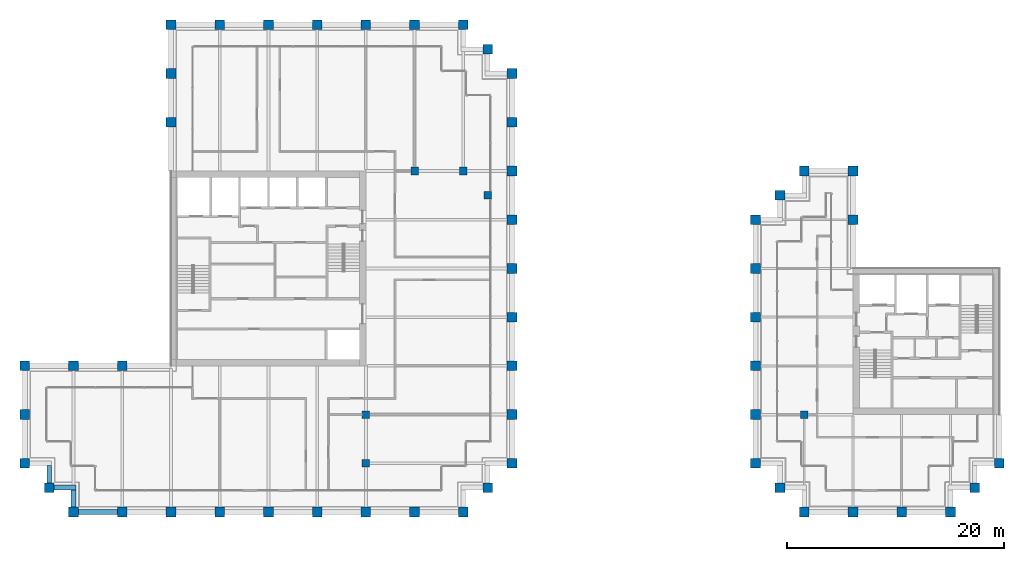
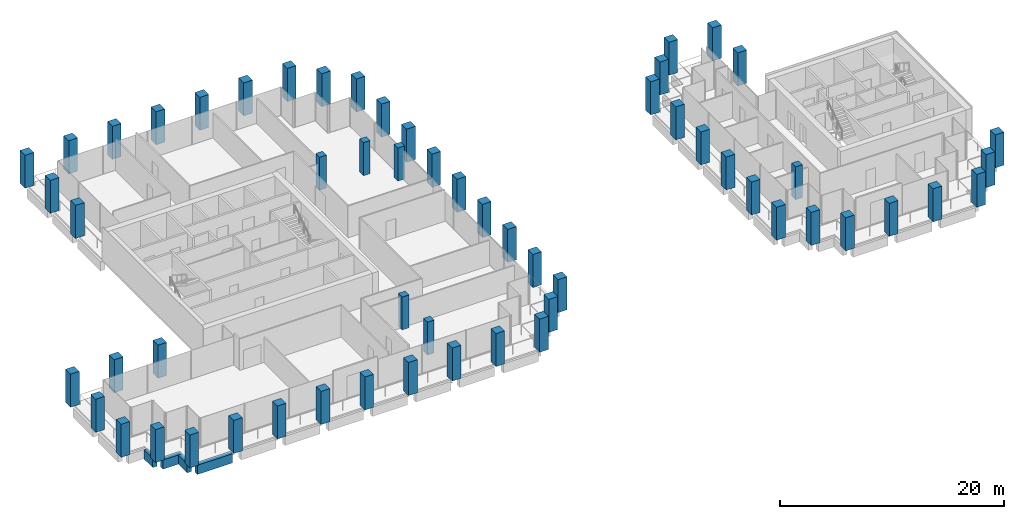
# One storey, part 1 of 40: 58 columns, 4 beams.
"""IFC4 building model written with IfcOpenShell, lengths in metres."""

from ifc_helpers import new_model, si_unit, direction, frame, origin, origin_2d, place, context, subcontext, project, spatial, rectangle, extrude, material, material_profile, profile_set, type_object, element, save


model = new_model("IFC4")

# Units and contexts
model_context = context("Model", 3, precision=1e-05, world=origin(), true_north=direction((0.0, 1.0)))
body_context = subcontext(model_context, "Body", "Model", "MODEL_VIEW")
ifc_project = project(units=[si_unit("LENGTHUNIT", "METRE"), si_unit("AREAUNIT", "SQUARE_METRE"), si_unit("VOLUMEUNIT", "CUBIC_METRE"), si_unit("PLANEANGLEUNIT", "RADIAN"), si_unit("MASSUNIT", "GRAM", prefix="KILO")], contexts=[model_context])

# Site, building, storey
site_placement = place(None, origin())
site = spatial("IfcSite", under=ifc_project, at=site_placement, CompositionType="ELEMENT")
building_placement = place(site_placement, origin())
building = spatial("IfcBuilding", under=site, at=building_placement, Name="Altepetl Exchange Towers", CompositionType="ELEMENT")
storey_placement = place(building_placement, frame((0.0, 0.0, 183.39990234375)))
storey = spatial("IfcBuildingStorey", under=building, at=storey_placement, Name="L46", CompositionType="ELEMENT", Elevation=183.39990234375)

# Columns
ifc_material_1 = material(Name="Concrete C70/85", Category="concrete")
ifc_material_profile_1 = material_profile(ifc_material_1, rectangle(XDim=0.699951171875, YDim=0.699951171875, at=origin_2d()), Name="700 x 700")
ifc_profile_set_1 = profile_set([ifc_material_profile_1], Name="Concrete C70/85")
column_type_1 = type_object("IfcColumnType", Name="Interior column 700", PredefinedType="COLUMN", material=ifc_profile_set_1)
for number, where, name in (
    (1, (58.5, 31.5, 0.0), "col:A:L46:035"),
    (2, (58.5, 36.0, 0.0), "col:A:L46:036"),
    (3, (63.0, 58.5, 0.0), "col:A:L46:037"),
    (4, (67.5, 58.5, 0.0), "col:A:L46:038"),
    (5, (69.75, 56.25, 0.0), "col:A:L46:039"),
    (6, (99.0, 36.0, 0.0), "col:B:L46:017"),
):
    element("IfcColumn", number, at=place(storey_placement, frame(where)), inside=storey, type_object=column_type_1, Name=name, PredefinedType="COLUMN", context=body_context, shape_type="SweptSolid", body=[
        extrude(rectangle(XDim=0.699951171875, YDim=0.699951171875, at=origin_2d()), origin(), (0.0, 0.0, 1.0), 3.60009765625),
    ])
ifc_material_2 = material(Name="Concrete C70/85 precast with cantera amarilla facing", Category="concrete")
ifc_material_profile_2 = material_profile(ifc_material_2, rectangle(XDim=0.89990234375, YDim=0.89990234375, at=origin_2d()), Name="900 x 900")
ifc_profile_set_2 = profile_set([ifc_material_profile_2], Name="Concrete C70/85 precast with cantera amarilla facing")
column_type_2 = type_object("IfcColumnType", Name="Perimeter column 900 cantera amarilla", PredefinedType="COLUMN", material=ifc_profile_set_2)
for number, where, name in (
    (7, (58.5, 27.0, 0.0), "col:A:L46:006"),
    (8, (63.0, 27.0, 0.0), "col:A:L46:007"),
    (9, (67.5, 27.0, 0.0), "col:A:L46:008"),
    (10, (69.75, 29.25, 0.0), "col:A:L46:009"),
    (11, (72.0, 31.5, 0.0), "col:A:L46:010"),
    (12, (72.0, 36.0, 0.0), "col:A:L46:011"),
    (13, (72.0, 40.5, 0.0), "col:A:L46:012"),
    (14, (72.0, 45.0, 0.0), "col:A:L46:013"),
    (15, (72.0, 49.5, 0.0), "col:A:L46:014"),
    (16, (72.0, 54.0, 0.0), "col:A:L46:015"),
):
    element("IfcColumn", number, at=place(storey_placement, frame(where)), inside=storey, type_object=column_type_2, Name=name, PredefinedType="COLUMN", context=body_context, shape_type="SweptSolid", body=[
        extrude(rectangle(XDim=0.89990234375, YDim=0.89990234375, at=origin_2d()), origin(), (0.0, 0.0, 1.0), 3.60009765625),
    ])
ifc_material_3 = material(Name="Concrete C70/85 precast with cantera blanca facing", Category="concrete")
ifc_material_profile_3 = material_profile(ifc_material_3, rectangle(XDim=0.89990234375, YDim=0.89990234375, at=origin_2d()), Name="900 x 900")
ifc_profile_set_3 = profile_set([ifc_material_profile_3], Name="Concrete C70/85 precast with cantera blanca facing")
column_type_3 = type_object("IfcColumnType", Name="Perimeter column 900 cantera blanca", PredefinedType="COLUMN", material=ifc_profile_set_3)
for number, where, name in (
    (17, (31.5, 27.0, 0.0), "col:A:L46:000"),
    (18, (36.0, 27.0, 0.0), "col:A:L46:001"),
    (19, (40.5, 27.0, 0.0), "col:A:L46:002"),
    (20, (45.0, 27.0, 0.0), "col:A:L46:003"),
    (21, (49.5, 27.0, 0.0), "col:A:L46:004"),
    (22, (54.0, 27.0, 0.0), "col:A:L46:005"),
    (23, (27.0, 36.0, 0.0), "col:A:L46:032"),
    (24, (27.0, 31.5, 0.0), "col:A:L46:033"),
    (25, (29.25, 29.25, 0.0), "col:A:L46:034"),
    (26, (117.0, 31.5, 0.0), "col:B:L46:005"),
):
    element("IfcColumn", number, at=place(storey_placement, frame(where)), inside=storey, type_object=column_type_3, Name=name, PredefinedType="COLUMN", context=body_context, shape_type="SweptSolid", body=[
        extrude(rectangle(XDim=0.89990234375, YDim=0.89990234375, at=origin_2d()), origin(), (0.0, 0.0, 1.0), 3.60009765625),
    ])
ifc_material_4 = material(Name="Concrete C70/85 precast with cantera rosa facing", Category="concrete")
ifc_material_profile_4 = material_profile(ifc_material_4, rectangle(XDim=0.89990234375, YDim=0.89990234375, at=origin_2d()), Name="900 x 900")
ifc_profile_set_4 = profile_set([ifc_material_profile_4], Name="Concrete C70/85 precast with cantera rosa facing")
column_type_4 = type_object("IfcColumnType", Name="Perimeter column 900 cantera rosa", PredefinedType="COLUMN", material=ifc_profile_set_4)
for number, where, name in (
    (27, (72.0, 58.5, 0.0), "col:A:L46:016"),
    (28, (72.0, 63.0, 0.0), "col:A:L46:017"),
    (29, (72.0, 67.5, 0.0), "col:A:L46:018"),
    (30, (69.75, 69.75, 0.0), "col:A:L46:019"),
    (31, (67.5, 72.0, 0.0), "col:A:L46:020"),
    (32, (63.0, 72.0, 0.0), "col:A:L46:021"),
    (33, (58.5, 72.0, 0.0), "col:A:L46:022"),
    (34, (54.0, 72.0, 0.0), "col:A:L46:023"),
    (35, (49.5, 72.0, 0.0), "col:A:L46:024"),
    (36, (45.0, 72.0, 0.0), "col:A:L46:025"),
    (37, (103.5, 54.0, 0.0), "col:B:L46:006"),
    (38, (103.5, 58.5, 0.0), "col:B:L46:007"),
    (39, (99.0, 58.5, 0.0), "col:B:L46:008"),
    (40, (96.75, 56.25, 0.0), "col:B:L46:009"),
    (41, (94.5, 54.0, 0.0), "col:B:L46:010"),
    (42, (94.5, 49.5, 0.0), "col:B:L46:011"),
    (43, (94.5, 45.0, 0.0), "col:B:L46:012"),
    (44, (94.5, 40.5, 0.0), "col:B:L46:013"),
    (45, (94.5, 36.0, 0.0), "col:B:L46:014"),
):
    element("IfcColumn", number, at=place(storey_placement, frame(where)), inside=storey, type_object=column_type_4, Name=name, PredefinedType="COLUMN", context=body_context, shape_type="SweptSolid", body=[
        extrude(rectangle(XDim=0.89990234375, YDim=0.89990234375, at=origin_2d()), origin(), (0.0, 0.0, 1.0), 3.60009765625),
    ])
ifc_material_5 = material(Name="Concrete C70/85 precast with tezontle facing", Category="concrete")
ifc_material_profile_5 = material_profile(ifc_material_5, rectangle(XDim=0.89990234375, YDim=0.89990234375, at=origin_2d()), Name="900 x 900")
ifc_profile_set_5 = profile_set([ifc_material_profile_5], Name="Concrete C70/85 precast with tezontle facing")
column_type_5 = type_object("IfcColumnType", Name="Perimeter column 900 tezontle", PredefinedType="COLUMN", material=ifc_profile_set_5)
for number, where, name in (
    (46, (40.5, 72.0, 0.0), "col:A:L46:026"),
    (47, (40.5, 67.5, 0.0), "col:A:L46:027"),
    (48, (40.5, 63.0, 0.0), "col:A:L46:028"),
    (49, (36.0, 40.5, 0.0), "col:A:L46:029"),
    (50, (31.5, 40.5, 0.0), "col:A:L46:030"),
    (51, (27.0, 40.5, 0.0), "col:A:L46:031"),
    (52, (99.0, 27.0, 0.0), "col:B:L46:000"),
    (53, (103.5, 27.0, 0.0), "col:B:L46:001"),
    (54, (108.0, 27.0, 0.0), "col:B:L46:002"),
    (55, (112.5, 27.0, 0.0), "col:B:L46:003"),
    (56, (114.75, 29.25, 0.0), "col:B:L46:004"),
    (57, (94.5, 31.5, 0.0), "col:B:L46:015"),
    (58, (96.75, 29.25, 0.0), "col:B:L46:016"),
):
    element("IfcColumn", number, at=place(storey_placement, frame(where)), inside=storey, type_object=column_type_5, Name=name, PredefinedType="COLUMN", context=body_context, shape_type="SweptSolid", body=[
        extrude(rectangle(XDim=0.89990234375, YDim=0.89990234375, at=origin_2d()), origin(), (0.0, 0.0, 1.0), 3.60009765625),
    ])

# Beams
ifc_material_6 = material(Name="Concrete C50/60 precast with cantera blanca facing", Category="concrete")
ifc_material_profile_6 = material_profile(ifc_material_6, rectangle(XDim=0.449951171875, YDim=1.0, at=origin_2d()), Name="450 x 1000")
ifc_profile_set_6 = profile_set([ifc_material_profile_6], Name="Concrete C50/60 precast with cantera blanca facing")
beam_type = type_object("IfcBeamType", Name="Spandrel beam 450x1000 cantera blanca", PredefinedType="SPANDREL", material=ifc_profile_set_6)
beam_1_placement = place(storey_placement, frame((31.949951171875, 27.0, -0.64990234375), z_axis=(1.0, 0.0, 0.0), x_axis=(0.0, 1.0, 0.0)))
element("IfcBeam", 59, at=beam_1_placement, inside=storey, type_object=beam_type, Name="sp:A:L46:000", PredefinedType="SPANDREL", context=body_context, shape_type="SweptSolid", body=[
    extrude(rectangle(XDim=0.449951171875, YDim=1.0, at=origin_2d()), origin(), (0.0, 0.0, 1.0), 3.60009765625),
])
beam_2_placement = place(storey_placement, frame((29.25, 31.27490234375, -0.64990234375), z_axis=(0.0, -1.0, 0.0), x_axis=(1.0, 0.0, 0.0)))
element("IfcBeam", 60, at=beam_2_placement, inside=storey, type_object=beam_type, Name="sp:A:L46:039", PredefinedType="SPANDREL", context=body_context, shape_type="SweptSolid", body=[
    extrude(rectangle(XDim=0.449951171875, YDim=1.0, at=origin_2d()), origin(), (0.0, 0.0, 1.0), 1.574951171875),
])
beam_3_placement = place(storey_placement, frame((29.699951171875, 29.25, -0.64990234375), z_axis=(1.0, 0.0, 0.0), x_axis=(0.0, 1.0, 0.0)))
element("IfcBeam", 61, at=beam_3_placement, inside=storey, type_object=beam_type, Name="sp:A:L46:040", PredefinedType="SPANDREL", context=body_context, shape_type="SweptSolid", body=[
    extrude(rectangle(XDim=0.449951171875, YDim=1.0, at=origin_2d()), origin(), (0.0, 0.0, 1.0), 2.025146484375),
])
beam_4_placement = place(storey_placement, frame((31.5, 29.02490234375, -0.64990234375), z_axis=(0.0, -1.0, 0.0), x_axis=(1.0, 0.0, 0.0)))
element("IfcBeam", 62, at=beam_4_placement, inside=storey, type_object=beam_type, Name="sp:A:L46:041", PredefinedType="SPANDREL", context=body_context, shape_type="SweptSolid", body=[
    extrude(rectangle(XDim=0.449951171875, YDim=1.0, at=origin_2d()), origin(), (0.0, 0.0, 1.0), 1.574951171875),
])

save(model, "model.ifc")
